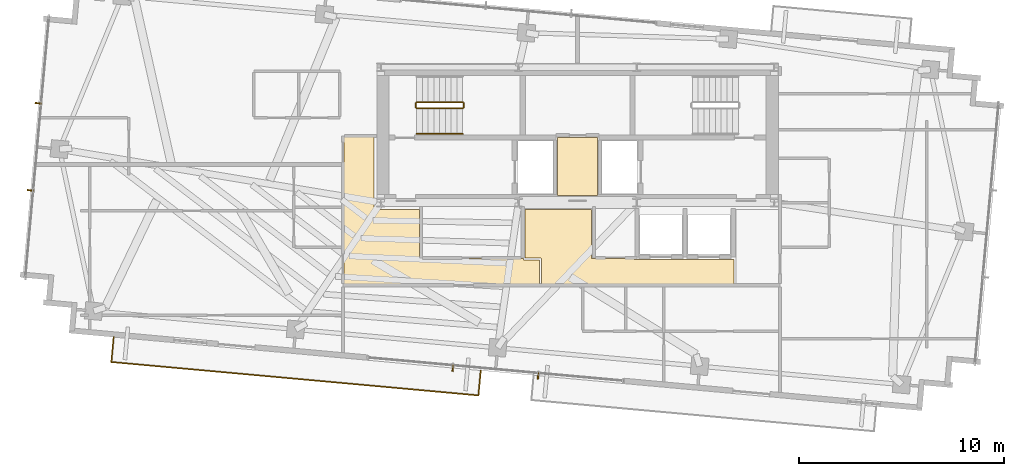
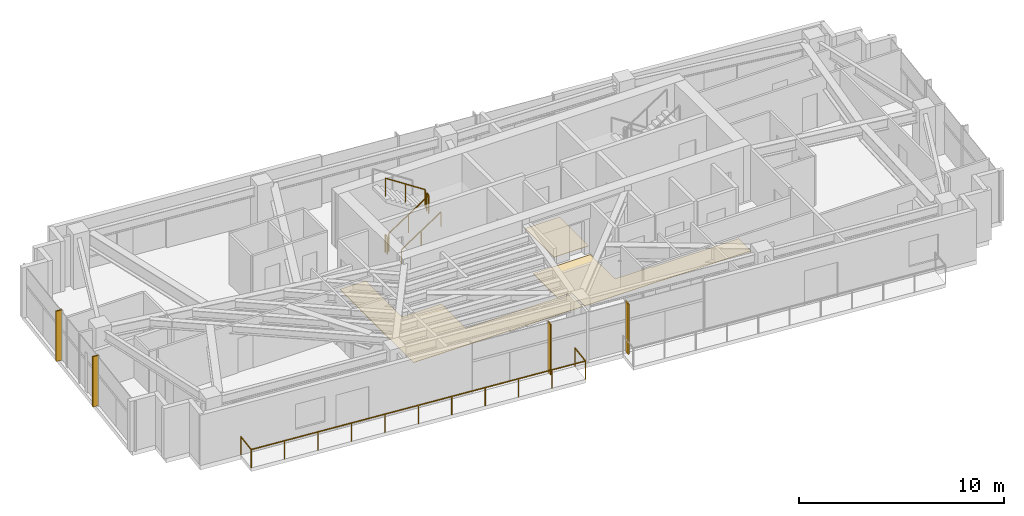
# One storey, part 20 of 22: 6 railings, 4 shading devices, 3 coverings.
"""IFC4 building model written with IfcOpenShell, lengths in metres."""

from ifc_helpers import new_model, si_unit, direction, frame, origin, origin_2d, place, context, subcontext, project, spatial, polyline, rectangle, outline, extrude, source, transform, mapped, material, layer, layer_set, type_object, type_shapes, element, save


model = new_model("IFC4")

# Units and contexts
model_context = context("Model", 3, precision=1e-05, world=origin(), true_north=direction((0.0, 1.0)))
body_context = subcontext(model_context, "Body", "Model", "MODEL_VIEW")
ifc_project = project(units=[si_unit("LENGTHUNIT", "METRE"), si_unit("AREAUNIT", "SQUARE_METRE"), si_unit("VOLUMEUNIT", "CUBIC_METRE"), si_unit("PLANEANGLEUNIT", "RADIAN"), si_unit("MASSUNIT", "GRAM", prefix="KILO")], contexts=[model_context])

# Site, building, storey
site_placement = place(None, origin())
site = spatial("IfcSite", under=ifc_project, at=site_placement, CompositionType="ELEMENT")
building_placement = place(site_placement, origin())
building = spatial("IfcBuilding", under=site, at=building_placement, Name="Astriad Promenade Condominiums", CompositionType="ELEMENT")
storey_placement = place(building_placement, frame((0.0, 0.0, 256.199951171875)))
storey = spatial("IfcBuildingStorey", under=building, at=storey_placement, Name="L74", CompositionType="ELEMENT", Elevation=256.199951171875)

# Coverings
ifc_material_1 = material(Name="Polished Lakefront Terrazzo Flooring")
ifc_layer = layer(ifc_material_1, 0.02001953125)
ifc_layer_set = layer_set([ifc_layer], Name="Polished Lakefront Terrazzo Flooring")
covering_type = type_object("IfcCoveringType", Name="COV-FLOR-TERRAZZO-20", PredefinedType="FLOORING", material=ifc_layer_set)
covering_1_placement = place(storey_placement, origin())
element("IfcCovering", 1, at=covering_1_placement, inside=storey, type_object=covering_type, Name="FLR-L74-CSL", PredefinedType="FLOORING", context=body_context, shape_type="SweptSolid", body=[
    extrude(outline(polyline([(36.97998046875, 17.739990234375), (35.02001953125, 17.739990234375), (35.02001953125, 20.580078125), (36.97998046875, 20.580078125), (36.97998046875, 17.739990234375)])), origin(), (0.0, 0.0, 1.0), 0.02001953125),
])
covering_2_placement = place(storey_placement, origin())
element("IfcCovering", 2, at=covering_2_placement, inside=storey, type_object=covering_type, Name="FLR-L74-LLB", PredefinedType="FLOORING", context=body_context, shape_type="SweptSolid", body=[
    extrude(outline(polyline([(43.639892578125, 14.610107421875), (43.639892578125, 13.39990234375), (34.239990234375, 13.39990234375), (34.239990234375, 14.64990234375), (34.23974609375, 14.65380859375), (34.2392578125, 14.65771484375), (34.23828125, 14.66162109375), (34.237060546875, 14.665283203125), (34.2353515625, 14.6689453125), (34.2333984375, 14.672119140625), (34.23095703125, 14.67529296875), (34.228271484375, 14.67822265625), (34.225341796875, 14.680908203125), (34.22216796875, 14.683349609375), (34.218994140625, 14.685302734375), (34.21533203125, 14.68701171875), (34.211669921875, 14.688232421875), (34.207763671875, 14.689208984375), (34.203857421875, 14.689697265625), (34.199951171875, 14.68994140625), (33.43994140625, 14.68994140625), (33.43994140625, 17.06005859375), (36.679931640625, 17.06005859375), (36.679931640625, 14.699951171875), (36.68017578125, 14.696044921875), (36.680908203125, 14.692138671875), (36.681640625, 14.6884765625), (36.68310546875, 14.684814453125), (36.684814453125, 14.68115234375), (36.686767578125, 14.677734375), (36.689208984375, 14.674560546875), (36.691650390625, 14.671630859375), (36.694580078125, 14.669189453125), (36.69775390625, 14.666748046875), (36.701171875, 14.664794921875), (36.70458984375, 14.6630859375), (36.70849609375, 14.66162109375), (36.712158203125, 14.660888671875), (36.716064453125, 14.66015625), (36.719970703125, 14.659912109375), (38.760009765625, 14.659912109375), (38.760009765625, 14.64990234375), (38.76025390625, 14.64599609375), (38.7607421875, 14.64208984375), (38.76171875, 14.638427734375), (38.762939453125, 14.634765625), (38.7646484375, 14.631103515625), (38.7666015625, 14.627685546875), (38.76904296875, 14.62451171875), (38.771728515625, 14.62158203125), (38.774658203125, 14.619140625), (38.77783203125, 14.61669921875), (38.781005859375, 14.61474609375), (38.78466796875, 14.613037109375), (38.788330078125, 14.61181640625), (38.792236328125, 14.61083984375), (38.796142578125, 14.610107421875), (38.800048828125, 14.610107421875), (43.639892578125, 14.610107421875)])), origin(), (0.0, 0.0, 1.0), 0.02001953125),
])
covering_3_placement = place(storey_placement, origin())
element("IfcCovering", 3, at=covering_3_placement, inside=storey, type_object=covering_type, Name="FLR-L74-COR-1", PredefinedType="FLOORING", context=body_context, shape_type="SweptSolid", body=[
    extrude(outline(polyline([(24.590087890625, 13.39990234375), (24.590087890625, 20.610107421875), (26.06005859375, 20.610107421875), (26.06005859375, 17.10009765625), (26.060302734375, 17.09619140625), (26.060791015625, 17.09228515625), (26.061767578125, 17.08837890625), (26.06298828125, 17.084716796875), (26.064697265625, 17.0810546875), (26.066650390625, 17.077880859375), (26.069091796875, 17.07470703125), (26.07177734375, 17.07177734375), (26.07470703125, 17.069091796875), (26.077880859375, 17.066650390625), (26.0810546875, 17.064697265625), (26.084716796875, 17.06298828125), (26.08837890625, 17.061767578125), (26.09228515625, 17.060791015625), (26.09619140625, 17.060302734375), (26.10009765625, 17.06005859375), (28.280029296875, 17.06005859375), (28.280029296875, 14.699951171875), (28.2802734375, 14.696044921875), (28.28076171875, 14.692138671875), (28.28173828125, 14.6884765625), (28.282958984375, 14.684814453125), (28.28466796875, 14.68115234375), (28.28662109375, 14.677734375), (28.2890625, 14.674560546875), (28.291748046875, 14.671630859375), (28.294677734375, 14.669189453125), (28.2978515625, 14.666748046875), (28.301025390625, 14.664794921875), (28.3046875, 14.6630859375), (28.308349609375, 14.66162109375), (28.312255859375, 14.660888671875), (28.316162109375, 14.66015625), (28.320068359375, 14.659912109375), (33.35009765625, 14.659912109375), (33.35009765625, 14.64892578125), (33.35009765625, 14.64501953125), (33.350830078125, 14.64111328125), (33.35107421875, 14.64013671875), (33.351318359375, 14.639404296875), (33.351318359375, 14.638427734375), (33.352294921875, 14.634521484375), (33.353759765625, 14.630859375), (33.3544921875, 14.629150390625), (33.356201171875, 14.6259765625), (33.356689453125, 14.625), (33.35888671875, 14.62158203125), (33.3603515625, 14.61962890625), (33.36083984375, 14.618896484375), (33.361083984375, 14.61865234375), (33.361328125, 14.618408203125), (33.361572265625, 14.617919921875), (33.36328125, 14.615966796875), (33.365966796875, 14.61328125), (33.367919921875, 14.611572265625), (33.368408203125, 14.611328125), (33.36865234375, 14.611083984375), (33.368896484375, 14.61083984375), (33.36962890625, 14.6103515625), (33.37158203125, 14.60888671875), (33.375, 14.606689453125), (33.3759765625, 14.606201171875), (33.379150390625, 14.6044921875), (33.3798828125, 14.604248046875), (33.380859375, 14.603759765625), (33.384521484375, 14.602294921875), (33.388427734375, 14.601318359375), (33.389404296875, 14.601318359375), (33.39013671875, 14.60107421875), (33.39111328125, 14.600830078125), (33.39501953125, 14.60009765625), (33.39892578125, 14.60009765625), (34.14990234375, 14.60009765625), (34.14990234375, 13.39990234375), (24.590087890625, 13.39990234375)])), origin(), (0.0, 0.0, 1.0), 0.02001953125),
])

# Railing
ifc_material_2 = material(Name="Laminated Glass and Stainless Steel Balustrade", Category="steel")
railing_type_1 = type_object("IfcRailingType", Name="GRD-BALC-1120", PredefinedType="BALUSTRADE", material=ifc_material_2)
shared_shape_1 = source(origin(), body_context, "Body", "SweptSolid", [
    extrude(rectangle(XDim=0.048095703125, YDim=0.048095703125, at=origin_2d()), frame((0.0, 0.0, 1.09619140625), z_axis=(-0.09066206129, -0.995881715186, 0.0), x_axis=(0.995881715186, -0.09066206129, 0.0)), (0.0, 0.0, 1.0), 1.219970703125),
    extrude(rectangle(XDim=0.048095703125, YDim=0.048095703125, at=origin_2d()), frame((-0.110595703125, -1.21484375, 1.09619140625), z_axis=(0.995883858824, -0.090638511321, 0.0), x_axis=(0.090638511321, 0.995883858824, 0.0)), (0.0, 0.0, 1.0), 17.992919921875),
    extrude(rectangle(XDim=0.048095703125, YDim=0.048095703125, at=origin_2d()), frame((17.808349609375, -2.845703125, 1.09619140625), z_axis=(0.090643994769, 0.995883359743, 0.0), x_axis=(-0.995883359743, 0.090643994769, 0.0)), (0.0, 0.0, 1.0), 1.22021484375),
    extrude(rectangle(XDim=0.0419921875, YDim=0.0419921875, at=origin_2d()), origin(), (0.0, 0.0, 1.0), 1.072021484375),
    extrude(rectangle(XDim=0.0419921875, YDim=0.0419921875, at=origin_2d()), frame((-0.110595703125, -1.21484375, 0.0)), (0.0, 0.0, 1.0), 1.072021484375),
    extrude(rectangle(XDim=0.0419921875, YDim=0.0419921875, at=origin_2d()), frame((1.681396484375, -1.3779296875, 0.0)), (0.0, 0.0, 1.0), 1.072021484375),
    extrude(rectangle(XDim=0.0419921875, YDim=0.0419921875, at=origin_2d()), frame((3.47314453125, -1.541015625, 0.0)), (0.0, 0.0, 1.0), 1.072021484375),
    extrude(rectangle(XDim=0.0419921875, YDim=0.0419921875, at=origin_2d()), frame((5.26513671875, -1.7041015625, 0.0)), (0.0, 0.0, 1.0), 1.072021484375),
    extrude(rectangle(XDim=0.0419921875, YDim=0.0419921875, at=origin_2d()), frame((7.056884765625, -1.8671875, 0.0)), (0.0, 0.0, 1.0), 1.072021484375),
    extrude(rectangle(XDim=0.0419921875, YDim=0.0419921875, at=origin_2d()), frame((8.848876953125, -2.0302734375, 0.0)), (0.0, 0.0, 1.0), 1.072021484375),
    extrude(rectangle(XDim=0.0419921875, YDim=0.0419921875, at=origin_2d()), frame((10.640869140625, -2.193359375, 0.0)), (0.0, 0.0, 1.0), 1.072021484375),
    extrude(rectangle(XDim=0.0419921875, YDim=0.0419921875, at=origin_2d()), frame((12.4326171875, -2.3564453125, 0.0)), (0.0, 0.0, 1.0), 1.072021484375),
    extrude(rectangle(XDim=0.0419921875, YDim=0.0419921875, at=origin_2d()), frame((14.224609375, -2.51953125, 0.0)), (0.0, 0.0, 1.0), 1.072021484375),
    extrude(rectangle(XDim=0.0419921875, YDim=0.0419921875, at=origin_2d()), frame((16.016357421875, -2.6826171875, 0.0)), (0.0, 0.0, 1.0), 1.072021484375),
    extrude(rectangle(XDim=0.0419921875, YDim=0.0419921875, at=origin_2d()), frame((17.808349609375, -2.845703125, 0.0)), (0.0, 0.0, 1.0), 1.072021484375),
    extrude(rectangle(XDim=0.0419921875, YDim=0.0419921875, at=origin_2d()), frame((17.9189453125, -1.630615234375, 0.0)), (0.0, 0.0, 1.0), 1.072021484375),
])
type_shapes(railing_type_1, [shared_shape_1])
railing_1_placement = place(storey_placement, frame((13.35546875, 10.832763671875, 0.0)))
element("IfcRailing", 4, at=railing_1_placement, inside=storey, type_object=railing_type_1, Name="GRD-BALC-L74-SW", PredefinedType="BALUSTRADE", context=body_context, shape_type="MappedRepresentation", body=[
    mapped(shared_shape_1, transform((0.0, 0.0, 0.0), scale=1.0)),
])

# Shading devices
ifc_material_3 = material(Name="Anodised aluminium 6063-T6 Black Fin", Category="aluminium")
shading_device_type = type_object("IfcShadingDeviceType", Name="FIN-BLACK-260", PredefinedType="USERDEFINED", material=ifc_material_3)
shared_shape_2 = source(origin(), body_context, "Body", "SweptSolid", [
    extrude(rectangle(XDim=0.06494140625, YDim=0.320068359375, at=origin_2d()), origin(), (0.0, 0.0, 1.0), 3.0),
])
type_shapes(shading_device_type, [shared_shape_2])
for number, where, z_axis, x_axis, name in (
    (5, (9.293212890625, 17.9970703125, 0.0), (0.0, 0.0, 1.0), (0.090632580198, 0.995884398616, 0.0), "CW-L74-W-FIN-01"),
    (6, (9.6796875, 22.246337890625, 0.0), (0.0, 0.0, 1.0), (0.090632580198, 0.995884398616, 0.0), "CW-L74-W-FIN-02"),
    (7, (34.073974609375, 8.937255859375, 0.0), (0.0, 0.0, 1.0), (-0.995884398616, 0.090632580198, 0.0), "CW-L74-S-FIN-01"),
    (8, (29.9111328125, 9.316162109375, 0.0), (0.0, 0.0, 1.0), (-0.995884398616, 0.090632580198, 0.0), "CW-L74-S-FIN-02"),
):
    element("IfcShadingDevice", number, at=place(storey_placement, frame(where, z_axis=z_axis, x_axis=x_axis)), inside=storey, type_object=shading_device_type, Name=name, ObjectType="FIN", PredefinedType="USERDEFINED", context=body_context, shape_type="MappedRepresentation", body=[
        mapped(shared_shape_2, transform((0.0, 0.0, 0.0), scale=1.0)),
    ])

# Railings
ifc_material_4 = material(Name="Painted Galvanised Steel Guardrail", Category="steel")
railing_type_2 = type_object("IfcRailingType", Name="GRD-STAIR-1100", PredefinedType="GUARDRAIL", material=ifc_material_4)
shared_shape_3 = source(origin(), body_context, "Body", "SweptSolid", [
    extrude(rectangle(XDim=0.048095703125, YDim=0.048095703125, at=origin_2d()), frame((0.0, 0.0, 1.076171875), z_axis=(0.0, 1.0, 0.0), x_axis=(-1.0, 0.0, 0.0)), (0.0, 0.0, 1.0), 0.199951171875),
    extrude(rectangle(XDim=0.0419921875, YDim=0.0419921875, at=origin_2d()), origin(), (0.0, 0.0, 1.0), 1.052001953125),
    extrude(rectangle(XDim=0.0419921875, YDim=0.0419921875, at=origin_2d()), frame((0.0, 0.199951171875, 0.0)), (0.0, 0.0, 1.0), 1.052001953125),
])
for number, where, name in (
    (9, (30.43994140625, 22.050048828125, 1.650146484375), "L74 ST-1 stair guard 2"),
    (10, (28.10009765625, 22.050048828125, 0.0), "L74 ST-1 stair guard 4"),
):
    element("IfcRailing", number, at=place(storey_placement, frame(where)), inside=storey, type_object=railing_type_2, Name=name, PredefinedType="GUARDRAIL", context=body_context, shape_type="MappedRepresentation", body=[
        mapped(shared_shape_3, transform((0.0, 0.0, 0.0), scale=1.0)),
    ])
shared_shape_4 = source(origin(), body_context, "Body", "SweptSolid", [
    extrude(rectangle(XDim=0.048095703125, YDim=0.048095703125, at=origin_2d()), frame((0.0, 0.0, 1.076171875), z_axis=(-0.836636935527, 0.0, 0.547757827979), x_axis=(0.0, -1.0, 0.0)), (0.0, 0.0, 1.0), 2.677490234375),
    extrude(rectangle(XDim=0.0419921875, YDim=0.0419921875, at=origin_2d()), origin(), (0.0, 0.0, 1.0), 1.052001953125),
    extrude(rectangle(XDim=0.0419921875, YDim=0.0419921875, at=origin_2d()), frame((-1.1201171875, 0.0, 0.7333984375)), (0.0, 0.0, 1.0), 1.052001953125),
    extrude(rectangle(XDim=0.0419921875, YDim=0.0419921875, at=origin_2d()), frame((-2.239990234375, 0.0, 1.466552734375)), (0.0, 0.0, 1.0), 1.052001953125),
])
railing_2_placement = place(storey_placement, frame((30.389892578125, 22.300048828125, 1.83349609375)))
element("IfcRailing", 11, at=railing_2_placement, inside=storey, type_object=railing_type_2, Name="L74 ST-1 stair guard 3", PredefinedType="GUARDRAIL", context=body_context, shape_type="MappedRepresentation", body=[
    mapped(shared_shape_4, transform((0.0, 0.0, 0.0), scale=1.0)),
])
shared_shape_5 = source(origin(), body_context, "Body", "SweptSolid", [
    extrude(rectangle(XDim=0.048095703125, YDim=0.048095703125, at=origin_2d()), frame((0.0, 0.0, 1.076171875), z_axis=(0.836595146698, 0.0, 0.547821650285), x_axis=(0.0, 1.0, 0.0)), (0.0, 0.0, 1.0), 2.677490234375),
    extrude(rectangle(XDim=0.0419921875, YDim=0.0419921875, at=origin_2d()), origin(), (0.0, 0.0, 1.0), 1.052001953125),
    extrude(rectangle(XDim=0.0419921875, YDim=0.0419921875, at=origin_2d()), frame((1.1201171875, 0.0, 0.7333984375)), (0.0, 0.0, 1.0), 1.052001953125),
    extrude(rectangle(XDim=0.0419921875, YDim=0.0419921875, at=origin_2d()), frame((2.239990234375, 0.0, 1.466796875)), (0.0, 0.0, 1.0), 1.052001953125),
])
type_shapes(railing_type_2, [shared_shape_3, shared_shape_4, shared_shape_5])
railing_3_placement = place(storey_placement, frame((28.14990234375, 22.0, 0.183349609375)))
element("IfcRailing", 12, at=railing_3_placement, inside=storey, type_object=railing_type_2, Name="L74 ST-1 stair guard 1", PredefinedType="GUARDRAIL", context=body_context, shape_type="MappedRepresentation", body=[
    mapped(shared_shape_5, transform((0.0, 0.0, 0.0), scale=1.0)),
])
ifc_material_5 = material(Name="Brushed Stainless Steel Handrail", Category="steel")
railing_type_3 = type_object("IfcRailingType", Name="HRL-STAIR-920", PredefinedType="HANDRAIL", material=ifc_material_5)
shared_shape_6 = source(origin(), body_context, "Body", "SweptSolid", [
    extrude(rectangle(XDim=0.048095703125, YDim=0.048095703125, at=origin_2d()), frame((0.0, 0.0, 0.8759765625), z_axis=(0.836595146698, 0.0, 0.547821650285), x_axis=(0.0, 1.0, 0.0)), (0.0, 0.0, 1.0), 2.677490234375),
    extrude(rectangle(XDim=0.0419921875, YDim=0.0419921875, at=origin_2d()), origin(), (0.0, 0.0, 1.0), 0.851806640625),
    extrude(rectangle(XDim=0.0419921875, YDim=0.0419921875, at=origin_2d()), frame((1.1201171875, 0.0, 0.7333984375)), (0.0, 0.0, 1.0), 0.851806640625),
    extrude(rectangle(XDim=0.0419921875, YDim=0.0419921875, at=origin_2d()), frame((2.239990234375, 0.0, 1.466796875)), (0.0, 0.0, 1.0), 0.851806640625),
])
type_shapes(railing_type_3, [shared_shape_6])
railing_4_placement = place(storey_placement, frame((28.14990234375, 20.75, 0.183349609375)))
element("IfcRailing", 13, at=railing_4_placement, inside=storey, type_object=railing_type_3, Name="L74 ST-1 stair handrail 1", PredefinedType="HANDRAIL", context=body_context, shape_type="MappedRepresentation", body=[
    mapped(shared_shape_6, transform((0.0, 0.0, 0.0), scale=1.0)),
])

save(model, "model.ifc")
